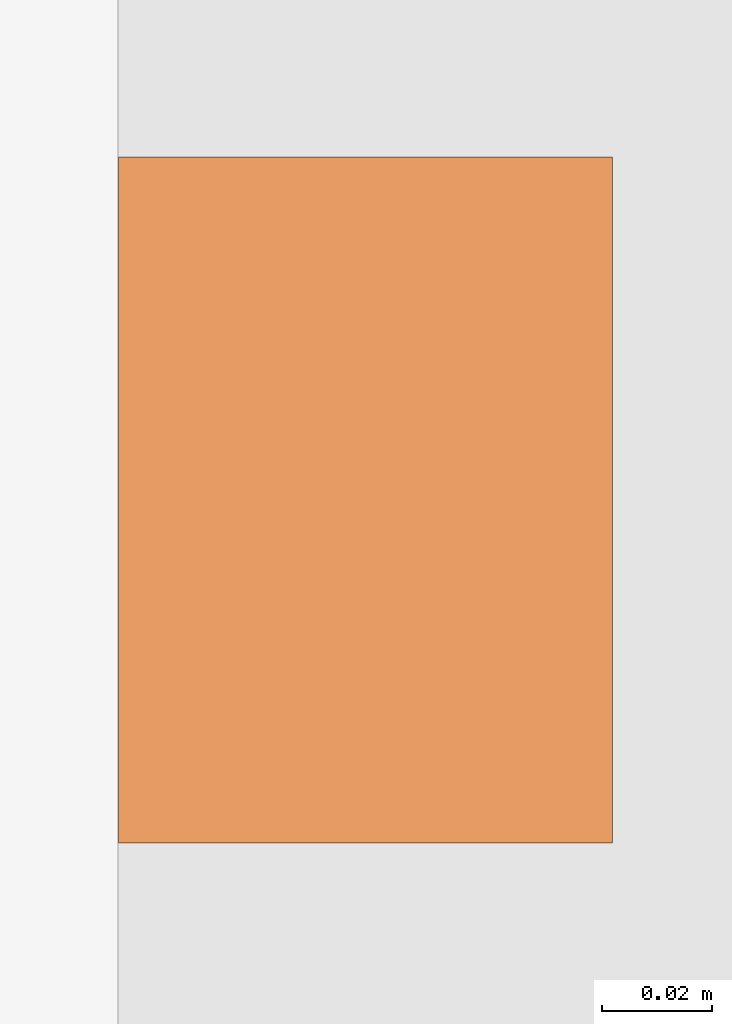
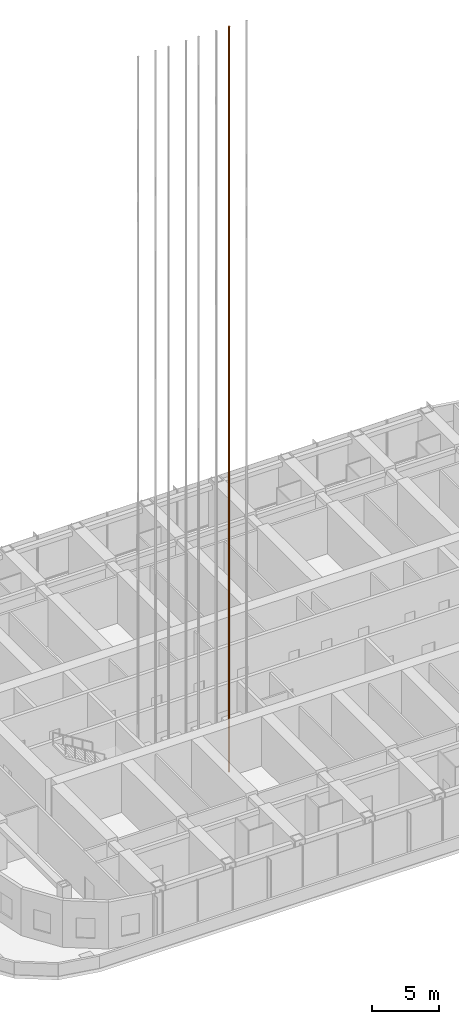
# One storey, part 31 of 32: 1 proxy.
"""IFC4 building model written with IfcOpenShell, lengths in metres."""

from ifc_helpers import new_model, si_unit, direction, frame, origin, origin_2d, place, context, subcontext, project, spatial, rectangle, extrude, material, element, save


model = new_model("IFC4")

# Units and contexts
model_context = context("Model", 3, precision=1e-05, world=origin(), true_north=direction((0.0, 1.0)))
body_context = subcontext(model_context, "Body", "Model", "MODEL_VIEW")
ifc_project = project(units=[si_unit("LENGTHUNIT", "METRE"), si_unit("AREAUNIT", "SQUARE_METRE"), si_unit("VOLUMEUNIT", "CUBIC_METRE"), si_unit("PLANEANGLEUNIT", "RADIAN"), si_unit("MASSUNIT", "GRAM", prefix="KILO")], contexts=[model_context])

# Site, building, storey
site_placement = place(None, origin())
site = spatial("IfcSite", under=ifc_project, at=site_placement, CompositionType="ELEMENT")
building_placement = place(site_placement, origin())
building = spatial("IfcBuilding", under=site, at=building_placement, Name="Orbita Commons", CompositionType="ELEMENT")
storey_placement = place(building_placement, frame((0.0, 0.0, 140.35009765625)))
storey = spatial("IfcBuildingStorey", under=building, at=storey_placement, Name="L34", CompositionType="ELEMENT", Elevation=140.35009765625)

# Proxy
ifc_material = material(Name="Machined steel guide rail", Category="steel")
placement = place(storey_placement, frame((35.10009765625, 28.10009765625, 0.0), z_axis=(0.0, 0.0, 1.0), x_axis=(1.0, 0.0, 0.0)))
proxy_placement = place(placement, frame((-0.7548828125, 0.0, -1.800048828125)))
element("IfcBuildingElementProxy", 1, at=proxy_placement, inside=storey, material=ifc_material, Name="P34 guide rail 1", ObjectType="GUIDE RAIL", PredefinedType="USERDEFINED", context=body_context, shape_type="SweptSolid", body=[
    extrude(rectangle(XDim=0.09, YDim=0.125, at=origin_2d()), origin(), (0.0, 0.0, 1.0), 67.64990234375),
])

save(model, "model.ifc")
